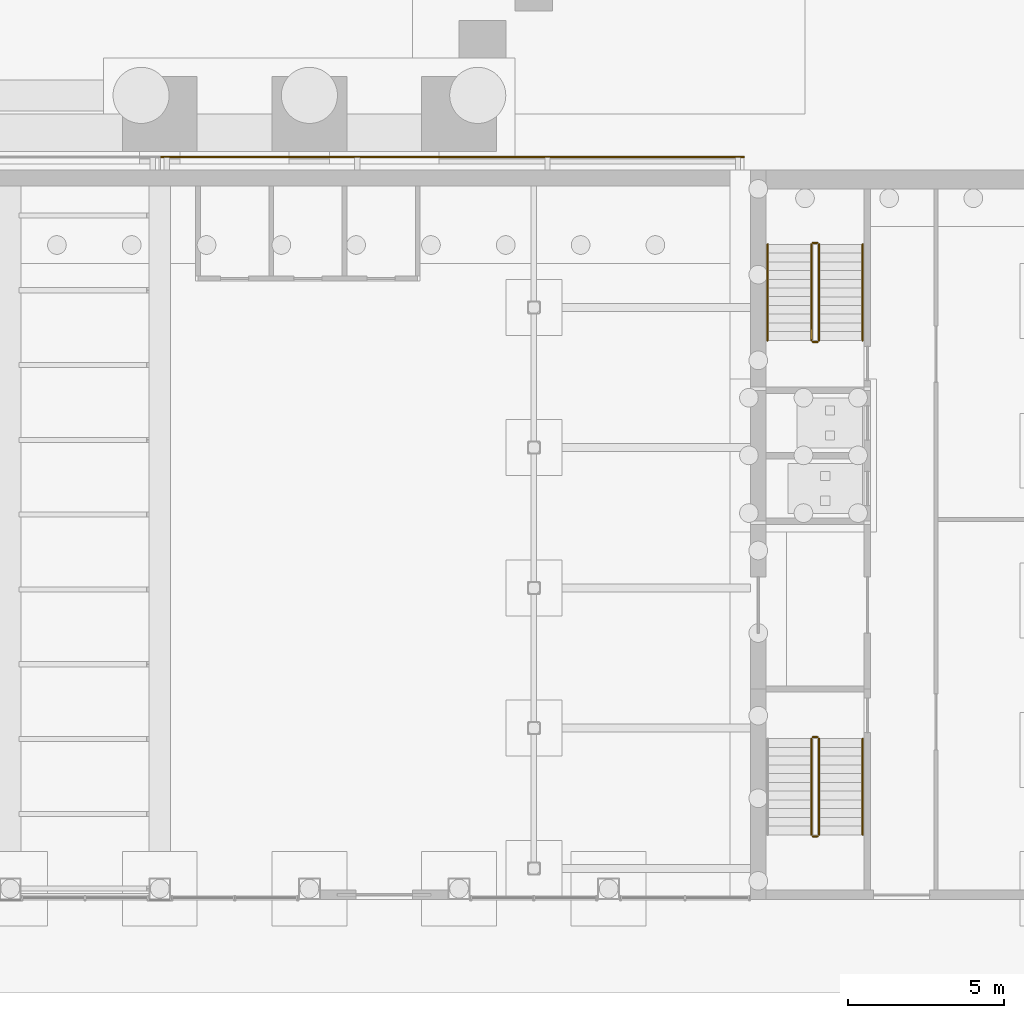
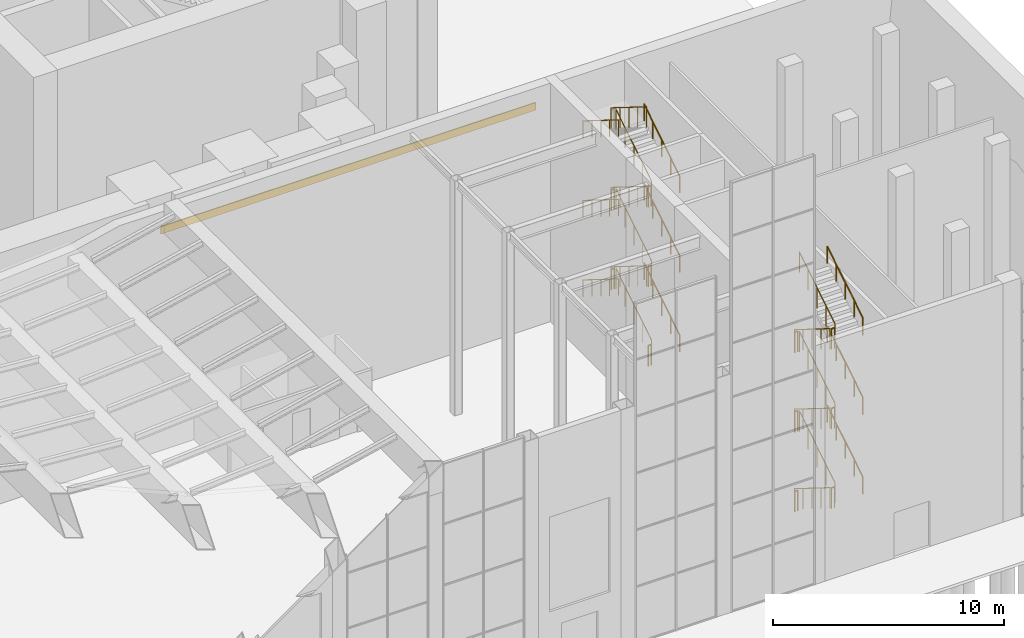
# One storey, part 55 of 58: 32 railings, 1 covering.
"""IFC4 building model written with IfcOpenShell, lengths in metres."""

from ifc_helpers import new_model, si_unit, direction, frame, origin, origin_2d, place, context, subcontext, project, spatial, polyline, circle, outline, extrude, material, layer, layer_set, type_object, element, save


model = new_model("IFC4")

# Units and contexts
model_context = context("Model", 3, precision=1e-05, world=origin(), true_north=direction((0.0, 1.0)))
body_context = subcontext(model_context, "Body", "Model", "MODEL_VIEW")
ifc_project = project(units=[si_unit("LENGTHUNIT", "METRE"), si_unit("AREAUNIT", "SQUARE_METRE"), si_unit("VOLUMEUNIT", "CUBIC_METRE"), si_unit("PLANEANGLEUNIT", "RADIAN"), si_unit("MASSUNIT", "GRAM", prefix="KILO")], contexts=[model_context])

# Site, building, storey
site_placement = place(None, origin())
site = spatial("IfcSite", under=ifc_project, at=site_placement, CompositionType="ELEMENT")
building_placement = place(site_placement, origin())
building = spatial("IfcBuilding", under=site, at=building_placement, Name="Baori Bourse Tower", CompositionType="ELEMENT")
storey_placement = place(building_placement, origin())
storey = spatial("IfcBuildingStorey", under=building, at=storey_placement, Name="L00", CompositionType="ELEMENT", Elevation=0.0)

# Covering
ifc_material_1 = material(Name="Pale anodised aluminium", Category="aluminium")
ifc_layer = layer(ifc_material_1, 0.050048828125)
ifc_layer_set = layer_set([ifc_layer], Name="Canopy edge band 300")
covering_type = type_object("IfcCoveringType", Name="Canopy edge band 300", PredefinedType="CLADDING", material=ifc_layer_set)
covering_placement = place(storey_placement, frame((0.0, 0.0, 10.699951171875)))
element("IfcCovering", 1, at=covering_placement, inside=storey, type_object=covering_type, Name="Canopy edge", PredefinedType="CLADDING", context=body_context, shape_type="SweptSolid", body=[
    extrude(outline(polyline([(38.425048828125, -1.39990234375), (57.14990234375, -1.39990234375), (57.14990234375, -1.35009765625), (38.425048828125, -1.35009765625), (38.425048828125, -1.39990234375)])), origin(), (0.0, 0.0, 1.0), 0.400146484375),
])

# Railings
ifc_material_2 = material(Name="Stainless steel AISI 316", Category="steel")
railing_type_1 = type_object("IfcRailingType", Name="Wing guard 1100", PredefinedType="GUARDRAIL", material=ifc_material_2)
railing_1_placement = place(storey_placement, frame((59.550048828125, -7.260009765625, 0.175048828125)))
element("IfcRailing", 2, at=railing_1_placement, inside=storey, type_object=railing_type_1, Name="L00 E-STA stair guard 1", PredefinedType="GUARDRAIL", context=body_context, shape_type="SweptSolid", body=[
    extrude(circle(Radius=0.02392578125, at=origin_2d()), frame((0.0, 0.0, 1.076171875), z_axis=(0.0, 0.847998304005, 0.529998940003), x_axis=(-1.0, 0.0, 0.0)), (0.0, 0.0, 1.0), 3.632080078125),
    extrude(circle(Radius=0.02099609375, at=origin_2d()), origin(), (0.0, 0.0, 1.0), 1.052001953125),
    extrude(circle(Radius=0.02099609375, at=origin_2d()), frame((0.0, 0.77001953125, 0.481201171875)), (0.0, 0.0, 1.0), 1.052001953125),
    extrude(circle(Radius=0.02099609375, at=origin_2d()), frame((0.0, 1.5400390625, 0.96240234375)), (0.0, 0.0, 1.0), 1.052001953125),
    extrude(circle(Radius=0.02099609375, at=origin_2d()), frame((0.0, 2.31005859375, 1.44384765625)), (0.0, 0.0, 1.0), 1.052001953125),
    extrude(circle(Radius=0.02099609375, at=origin_2d()), frame((0.0, 3.080078125, 1.925048828125)), (0.0, 0.0, 1.0), 1.052001953125),
])
railing_2_placement = place(storey_placement, frame((59.5, -4.1298828125, 2.10009765625)))
element("IfcRailing", 3, at=railing_2_placement, inside=storey, type_object=railing_type_1, Name="L00 E-STA stair guard 2", PredefinedType="GUARDRAIL", context=body_context, shape_type="SweptSolid", body=[
    extrude(circle(Radius=0.02392578125, at=origin_2d()), frame((0.0, 0.0, 1.076171875), z_axis=(-1.0, 0.0, 0.0), x_axis=(0.0, -1.0, 0.0)), (0.0, 0.0, 1.0), 0.14990234375),
    extrude(circle(Radius=0.02099609375, at=origin_2d()), origin(), (0.0, 0.0, 1.0), 1.052001953125),
    extrude(circle(Radius=0.02099609375, at=origin_2d()), frame((-0.14990234375, 0.0, 0.0)), (0.0, 0.0, 1.0), 1.052001953125),
])
railing_3_placement = place(storey_placement, frame((59.300048828125, -4.179931640625, 2.27490234375)))
element("IfcRailing", 4, at=railing_3_placement, inside=storey, type_object=railing_type_1, Name="L00 E-STA stair guard 3", PredefinedType="GUARDRAIL", context=body_context, shape_type="SweptSolid", body=[
    extrude(circle(Radius=0.02392578125, at=origin_2d()), frame((0.0, 0.0, 1.076171875), z_axis=(0.0, -0.847998304005, 0.529998940003), x_axis=(1.0, 0.0, 0.0)), (0.0, 0.0, 1.0), 3.632080078125),
    extrude(circle(Radius=0.02099609375, at=origin_2d()), origin(), (0.0, 0.0, 1.0), 1.052001953125),
    extrude(circle(Radius=0.02099609375, at=origin_2d()), frame((0.0, -0.77001953125, 0.481201171875)), (0.0, 0.0, 1.0), 1.052001953125),
    extrude(circle(Radius=0.02099609375, at=origin_2d()), frame((0.0, -1.5400390625, 0.96240234375)), (0.0, 0.0, 1.0), 1.052001953125),
    extrude(circle(Radius=0.02099609375, at=origin_2d()), frame((0.0, -2.31005859375, 1.44384765625)), (0.0, 0.0, 1.0), 1.052001953125),
    extrude(circle(Radius=0.02099609375, at=origin_2d()), frame((0.0, -3.080078125, 1.925048828125)), (0.0, 0.0, 1.0), 1.052001953125),
])
railing_4_placement = place(storey_placement, frame((59.5, -7.31005859375, 4.199951171875)))
element("IfcRailing", 5, at=railing_4_placement, inside=storey, type_object=railing_type_1, Name="L00 E-STA stair guard 4", PredefinedType="GUARDRAIL", context=body_context, shape_type="SweptSolid", body=[
    extrude(circle(Radius=0.02392578125, at=origin_2d()), frame((0.0, 0.0, 1.076171875), z_axis=(-1.0, 0.0, 0.0), x_axis=(0.0, -1.0, 0.0)), (0.0, 0.0, 1.0), 0.14990234375),
    extrude(circle(Radius=0.02099609375, at=origin_2d()), origin(), (0.0, 0.0, 1.0), 1.052001953125),
    extrude(circle(Radius=0.02099609375, at=origin_2d()), frame((-0.14990234375, 0.0, 0.0)), (0.0, 0.0, 1.0), 1.052001953125),
])
railing_5_placement = place(storey_placement, frame((59.550048828125, -7.260009765625, 4.375)))
element("IfcRailing", 6, at=railing_5_placement, inside=storey, type_object=railing_type_1, Name="L00 E-STA stair guard 5", PredefinedType="GUARDRAIL", context=body_context, shape_type="SweptSolid", body=[
    extrude(circle(Radius=0.02392578125, at=origin_2d()), frame((0.0, 0.0, 1.076171875), z_axis=(0.0, 0.847998304005, 0.529998940003), x_axis=(-1.0, 0.0, 0.0)), (0.0, 0.0, 1.0), 3.632080078125),
    extrude(circle(Radius=0.02099609375, at=origin_2d()), origin(), (0.0, 0.0, 1.0), 1.052001953125),
    extrude(circle(Radius=0.02099609375, at=origin_2d()), frame((0.0, 0.77001953125, 0.481201171875)), (0.0, 0.0, 1.0), 1.052001953125),
    extrude(circle(Radius=0.02099609375, at=origin_2d()), frame((0.0, 1.5400390625, 0.96240234375)), (0.0, 0.0, 1.0), 1.052001953125),
    extrude(circle(Radius=0.02099609375, at=origin_2d()), frame((0.0, 2.31005859375, 1.44384765625)), (0.0, 0.0, 1.0), 1.052001953125),
    extrude(circle(Radius=0.02099609375, at=origin_2d()), frame((0.0, 3.080078125, 1.925048828125)), (0.0, 0.0, 1.0), 1.052001953125),
])
railing_6_placement = place(storey_placement, frame((59.5, -4.1298828125, 6.300048828125)))
element("IfcRailing", 7, at=railing_6_placement, inside=storey, type_object=railing_type_1, Name="L00 E-STA stair guard 6", PredefinedType="GUARDRAIL", context=body_context, shape_type="SweptSolid", body=[
    extrude(circle(Radius=0.02392578125, at=origin_2d()), frame((0.0, 0.0, 1.076171875), z_axis=(-1.0, 0.0, 0.0), x_axis=(0.0, -1.0, 0.0)), (0.0, 0.0, 1.0), 0.14990234375),
    extrude(circle(Radius=0.02099609375, at=origin_2d()), origin(), (0.0, 0.0, 1.0), 1.052001953125),
    extrude(circle(Radius=0.02099609375, at=origin_2d()), frame((-0.14990234375, 0.0, 0.0)), (0.0, 0.0, 1.0), 1.052001953125),
])
railing_7_placement = place(storey_placement, frame((59.300048828125, -4.179931640625, 6.47509765625)))
element("IfcRailing", 8, at=railing_7_placement, inside=storey, type_object=railing_type_1, Name="L00 E-STA stair guard 7", PredefinedType="GUARDRAIL", context=body_context, shape_type="SweptSolid", body=[
    extrude(circle(Radius=0.02392578125, at=origin_2d()), frame((0.0, 0.0, 1.076171875), z_axis=(0.0, -0.848028513186, 0.529950602248), x_axis=(1.0, 0.0, 0.0)), (0.0, 0.0, 1.0), 3.632080078125),
    extrude(circle(Radius=0.02099609375, at=origin_2d()), origin(), (0.0, 0.0, 1.0), 1.052001953125),
    extrude(circle(Radius=0.02099609375, at=origin_2d()), frame((0.0, -0.77001953125, 0.481201171875)), (0.0, 0.0, 1.0), 1.052001953125),
    extrude(circle(Radius=0.02099609375, at=origin_2d()), frame((0.0, -1.5400390625, 0.96240234375)), (0.0, 0.0, 1.0), 1.052001953125),
    extrude(circle(Radius=0.02099609375, at=origin_2d()), frame((0.0, -2.31005859375, 1.443603515625)), (0.0, 0.0, 1.0), 1.052001953125),
    extrude(circle(Radius=0.02099609375, at=origin_2d()), frame((0.0, -3.080078125, 1.9248046875)), (0.0, 0.0, 1.0), 1.052001953125),
])
railing_8_placement = place(storey_placement, frame((59.5, -7.31005859375, 8.39990234375)))
element("IfcRailing", 9, at=railing_8_placement, inside=storey, type_object=railing_type_1, Name="L00 E-STA stair guard 8", PredefinedType="GUARDRAIL", context=body_context, shape_type="SweptSolid", body=[
    extrude(circle(Radius=0.02392578125, at=origin_2d()), frame((0.0, 0.0, 1.076171875), z_axis=(-1.0, 0.0, 0.0), x_axis=(0.0, -1.0, 0.0)), (0.0, 0.0, 1.0), 0.14990234375),
    extrude(circle(Radius=0.02099609375, at=origin_2d()), origin(), (0.0, 0.0, 1.0), 1.052001953125),
    extrude(circle(Radius=0.02099609375, at=origin_2d()), frame((-0.14990234375, 0.0, 0.0)), (0.0, 0.0, 1.0), 1.052001953125),
])
railing_9_placement = place(storey_placement, frame((59.550048828125, -7.260009765625, 8.574951171875)))
element("IfcRailing", 10, at=railing_9_placement, inside=storey, type_object=railing_type_1, Name="L00 E-STA stair guard 9", PredefinedType="GUARDRAIL", context=body_context, shape_type="SweptSolid", body=[
    extrude(circle(Radius=0.02392578125, at=origin_2d()), frame((0.0, 0.0, 1.076171875), z_axis=(0.0, 0.847998304005, 0.529998940003), x_axis=(-1.0, 0.0, 0.0)), (0.0, 0.0, 1.0), 3.632080078125),
    extrude(circle(Radius=0.02099609375, at=origin_2d()), origin(), (0.0, 0.0, 1.0), 1.052001953125),
    extrude(circle(Radius=0.02099609375, at=origin_2d()), frame((0.0, 0.77001953125, 0.481201171875)), (0.0, 0.0, 1.0), 1.052001953125),
    extrude(circle(Radius=0.02099609375, at=origin_2d()), frame((0.0, 1.5400390625, 0.96240234375)), (0.0, 0.0, 1.0), 1.052001953125),
    extrude(circle(Radius=0.02099609375, at=origin_2d()), frame((0.0, 2.31005859375, 1.44384765625)), (0.0, 0.0, 1.0), 1.052001953125),
    extrude(circle(Radius=0.02099609375, at=origin_2d()), frame((0.0, 3.080078125, 1.925048828125)), (0.0, 0.0, 1.0), 1.052001953125),
])
railing_10_placement = place(storey_placement, frame((59.300048828125, -4.179931640625, 10.675048828125)))
element("IfcRailing", 11, at=railing_10_placement, inside=storey, type_object=railing_type_1, Name="L00 E-STA stair guard 11", PredefinedType="GUARDRAIL", context=body_context, shape_type="SweptSolid", body=[
    extrude(circle(Radius=0.02392578125, at=origin_2d()), frame((0.0, 0.0, 1.076171875), z_axis=(0.0, -0.847998304005, 0.529998940003), x_axis=(1.0, 0.0, 0.0)), (0.0, 0.0, 1.0), 3.632080078125),
    extrude(circle(Radius=0.02099609375, at=origin_2d()), origin(), (0.0, 0.0, 1.0), 1.052001953125),
    extrude(circle(Radius=0.02099609375, at=origin_2d()), frame((0.0, -0.77001953125, 0.481201171875)), (0.0, 0.0, 1.0), 1.052001953125),
    extrude(circle(Radius=0.02099609375, at=origin_2d()), frame((0.0, -1.5400390625, 0.96240234375)), (0.0, 0.0, 1.0), 1.052001953125),
    extrude(circle(Radius=0.02099609375, at=origin_2d()), frame((0.0, -2.31005859375, 1.44384765625)), (0.0, 0.0, 1.0), 1.052001953125),
    extrude(circle(Radius=0.02099609375, at=origin_2d()), frame((0.0, -3.080078125, 1.925048828125)), (0.0, 0.0, 1.0), 1.052001953125),
])
railing_11_placement = place(storey_placement, frame((59.5, -7.31005859375, 0.0)))
element("IfcRailing", 12, at=railing_11_placement, inside=storey, type_object=railing_type_1, Name="L00 E-STA stair guard 12", PredefinedType="GUARDRAIL", context=body_context, shape_type="SweptSolid", body=[
    extrude(circle(Radius=0.02392578125, at=origin_2d()), frame((0.0, 0.0, 1.076171875), z_axis=(-1.0, 0.0, 0.0), x_axis=(0.0, -1.0, 0.0)), (0.0, 0.0, 1.0), 0.14990234375),
    extrude(circle(Radius=0.02099609375, at=origin_2d()), origin(), (0.0, 0.0, 1.0), 1.052001953125),
    extrude(circle(Radius=0.02099609375, at=origin_2d()), frame((-0.14990234375, 0.0, 0.0)), (0.0, 0.0, 1.0), 1.052001953125),
])
railing_12_placement = place(storey_placement, frame((59.300048828125, -20.0400390625, 0.175048828125)))
element("IfcRailing", 13, at=railing_12_placement, inside=storey, type_object=railing_type_1, Name="L00 E-STB stair guard 1", PredefinedType="GUARDRAIL", context=body_context, shape_type="SweptSolid", body=[
    extrude(circle(Radius=0.02392578125, at=origin_2d()), frame((0.0, 0.0, 1.076171875), z_axis=(0.0, -0.847998304005, 0.529998940003), x_axis=(1.0, 0.0, 0.0)), (0.0, 0.0, 1.0), 3.632080078125),
    extrude(circle(Radius=0.02099609375, at=origin_2d()), origin(), (0.0, 0.0, 1.0), 1.052001953125),
    extrude(circle(Radius=0.02099609375, at=origin_2d()), frame((0.0, -0.77001953125, 0.481201171875)), (0.0, 0.0, 1.0), 1.052001953125),
    extrude(circle(Radius=0.02099609375, at=origin_2d()), frame((0.0, -1.5400390625, 0.96240234375)), (0.0, 0.0, 1.0), 1.052001953125),
    extrude(circle(Radius=0.02099609375, at=origin_2d()), frame((0.0, -2.31005859375, 1.44384765625)), (0.0, 0.0, 1.0), 1.052001953125),
    extrude(circle(Radius=0.02099609375, at=origin_2d()), frame((0.0, -3.080078125, 1.925048828125)), (0.0, 0.0, 1.0), 1.052001953125),
])
railing_13_placement = place(storey_placement, frame((59.35009765625, -23.169921875, 2.10009765625)))
element("IfcRailing", 14, at=railing_13_placement, inside=storey, type_object=railing_type_1, Name="L00 E-STB stair guard 2", PredefinedType="GUARDRAIL", context=body_context, shape_type="SweptSolid", body=[
    extrude(circle(Radius=0.02392578125, at=origin_2d()), frame((0.0, 0.0, 1.076171875), z_axis=(1.0, 0.0, 0.0), x_axis=(0.0, 1.0, 0.0)), (0.0, 0.0, 1.0), 0.14990234375),
    extrude(circle(Radius=0.02099609375, at=origin_2d()), origin(), (0.0, 0.0, 1.0), 1.052001953125),
    extrude(circle(Radius=0.02099609375, at=origin_2d()), frame((0.14990234375, 0.0, 0.0)), (0.0, 0.0, 1.0), 1.052001953125),
])
railing_14_placement = place(storey_placement, frame((59.550048828125, -23.1201171875, 2.27490234375)))
element("IfcRailing", 15, at=railing_14_placement, inside=storey, type_object=railing_type_1, Name="L00 E-STB stair guard 3", PredefinedType="GUARDRAIL", context=body_context, shape_type="SweptSolid", body=[
    extrude(circle(Radius=0.02392578125, at=origin_2d()), frame((0.0, 0.0, 1.076171875), z_axis=(0.0, 0.847998304005, 0.529998940003), x_axis=(-1.0, 0.0, 0.0)), (0.0, 0.0, 1.0), 3.632080078125),
    extrude(circle(Radius=0.02099609375, at=origin_2d()), origin(), (0.0, 0.0, 1.0), 1.052001953125),
    extrude(circle(Radius=0.02099609375, at=origin_2d()), frame((0.0, 0.77001953125, 0.481201171875)), (0.0, 0.0, 1.0), 1.052001953125),
    extrude(circle(Radius=0.02099609375, at=origin_2d()), frame((0.0, 1.5400390625, 0.96240234375)), (0.0, 0.0, 1.0), 1.052001953125),
    extrude(circle(Radius=0.02099609375, at=origin_2d()), frame((0.0, 2.31005859375, 1.44384765625)), (0.0, 0.0, 1.0), 1.052001953125),
    extrude(circle(Radius=0.02099609375, at=origin_2d()), frame((0.0, 3.080078125, 1.925048828125)), (0.0, 0.0, 1.0), 1.052001953125),
])
railing_15_placement = place(storey_placement, frame((59.35009765625, -19.989990234375, 4.199951171875)))
element("IfcRailing", 16, at=railing_15_placement, inside=storey, type_object=railing_type_1, Name="L00 E-STB stair guard 4", PredefinedType="GUARDRAIL", context=body_context, shape_type="SweptSolid", body=[
    extrude(circle(Radius=0.02392578125, at=origin_2d()), frame((0.0, 0.0, 1.076171875), z_axis=(1.0, 0.0, 0.0), x_axis=(0.0, 1.0, 0.0)), (0.0, 0.0, 1.0), 0.14990234375),
    extrude(circle(Radius=0.02099609375, at=origin_2d()), origin(), (0.0, 0.0, 1.0), 1.052001953125),
    extrude(circle(Radius=0.02099609375, at=origin_2d()), frame((0.14990234375, 0.0, 0.0)), (0.0, 0.0, 1.0), 1.052001953125),
])
railing_16_placement = place(storey_placement, frame((59.300048828125, -20.0400390625, 4.375)))
element("IfcRailing", 17, at=railing_16_placement, inside=storey, type_object=railing_type_1, Name="L00 E-STB stair guard 5", PredefinedType="GUARDRAIL", context=body_context, shape_type="SweptSolid", body=[
    extrude(circle(Radius=0.02392578125, at=origin_2d()), frame((0.0, 0.0, 1.076171875), z_axis=(0.0, -0.847998304005, 0.529998940003), x_axis=(1.0, 0.0, 0.0)), (0.0, 0.0, 1.0), 3.632080078125),
    extrude(circle(Radius=0.02099609375, at=origin_2d()), origin(), (0.0, 0.0, 1.0), 1.052001953125),
    extrude(circle(Radius=0.02099609375, at=origin_2d()), frame((0.0, -0.77001953125, 0.481201171875)), (0.0, 0.0, 1.0), 1.052001953125),
    extrude(circle(Radius=0.02099609375, at=origin_2d()), frame((0.0, -1.5400390625, 0.96240234375)), (0.0, 0.0, 1.0), 1.052001953125),
    extrude(circle(Radius=0.02099609375, at=origin_2d()), frame((0.0, -2.31005859375, 1.44384765625)), (0.0, 0.0, 1.0), 1.052001953125),
    extrude(circle(Radius=0.02099609375, at=origin_2d()), frame((0.0, -3.080078125, 1.925048828125)), (0.0, 0.0, 1.0), 1.052001953125),
])
railing_17_placement = place(storey_placement, frame((59.35009765625, -23.169921875, 6.300048828125)))
element("IfcRailing", 18, at=railing_17_placement, inside=storey, type_object=railing_type_1, Name="L00 E-STB stair guard 6", PredefinedType="GUARDRAIL", context=body_context, shape_type="SweptSolid", body=[
    extrude(circle(Radius=0.02392578125, at=origin_2d()), frame((0.0, 0.0, 1.076171875), z_axis=(1.0, 0.0, 0.0), x_axis=(0.0, 1.0, 0.0)), (0.0, 0.0, 1.0), 0.14990234375),
    extrude(circle(Radius=0.02099609375, at=origin_2d()), origin(), (0.0, 0.0, 1.0), 1.052001953125),
    extrude(circle(Radius=0.02099609375, at=origin_2d()), frame((0.14990234375, 0.0, 0.0)), (0.0, 0.0, 1.0), 1.052001953125),
])
railing_18_placement = place(storey_placement, frame((59.550048828125, -23.1201171875, 6.47509765625)))
element("IfcRailing", 19, at=railing_18_placement, inside=storey, type_object=railing_type_1, Name="L00 E-STB stair guard 7", PredefinedType="GUARDRAIL", context=body_context, shape_type="SweptSolid", body=[
    extrude(circle(Radius=0.02392578125, at=origin_2d()), frame((0.0, 0.0, 1.076171875), z_axis=(0.0, 0.848028513186, 0.529950602248), x_axis=(-1.0, 0.0, 0.0)), (0.0, 0.0, 1.0), 3.632080078125),
    extrude(circle(Radius=0.02099609375, at=origin_2d()), origin(), (0.0, 0.0, 1.0), 1.052001953125),
    extrude(circle(Radius=0.02099609375, at=origin_2d()), frame((0.0, 0.77001953125, 0.481201171875)), (0.0, 0.0, 1.0), 1.052001953125),
    extrude(circle(Radius=0.02099609375, at=origin_2d()), frame((0.0, 1.5400390625, 0.96240234375)), (0.0, 0.0, 1.0), 1.052001953125),
    extrude(circle(Radius=0.02099609375, at=origin_2d()), frame((0.0, 2.31005859375, 1.443603515625)), (0.0, 0.0, 1.0), 1.052001953125),
    extrude(circle(Radius=0.02099609375, at=origin_2d()), frame((0.0, 3.080078125, 1.9248046875)), (0.0, 0.0, 1.0), 1.052001953125),
])
railing_19_placement = place(storey_placement, frame((59.35009765625, -19.989990234375, 8.39990234375)))
element("IfcRailing", 20, at=railing_19_placement, inside=storey, type_object=railing_type_1, Name="L00 E-STB stair guard 8", PredefinedType="GUARDRAIL", context=body_context, shape_type="SweptSolid", body=[
    extrude(circle(Radius=0.02392578125, at=origin_2d()), frame((0.0, 0.0, 1.076171875), z_axis=(1.0, 0.0, 0.0), x_axis=(0.0, 1.0, 0.0)), (0.0, 0.0, 1.0), 0.14990234375),
    extrude(circle(Radius=0.02099609375, at=origin_2d()), origin(), (0.0, 0.0, 1.0), 1.052001953125),
    extrude(circle(Radius=0.02099609375, at=origin_2d()), frame((0.14990234375, 0.0, 0.0)), (0.0, 0.0, 1.0), 1.052001953125),
])
railing_20_placement = place(storey_placement, frame((59.300048828125, -20.0400390625, 8.574951171875)))
element("IfcRailing", 21, at=railing_20_placement, inside=storey, type_object=railing_type_1, Name="L00 E-STB stair guard 9", PredefinedType="GUARDRAIL", context=body_context, shape_type="SweptSolid", body=[
    extrude(circle(Radius=0.02392578125, at=origin_2d()), frame((0.0, 0.0, 1.076171875), z_axis=(0.0, -0.847998304005, 0.529998940003), x_axis=(1.0, 0.0, 0.0)), (0.0, 0.0, 1.0), 3.632080078125),
    extrude(circle(Radius=0.02099609375, at=origin_2d()), origin(), (0.0, 0.0, 1.0), 1.052001953125),
    extrude(circle(Radius=0.02099609375, at=origin_2d()), frame((0.0, -0.77001953125, 0.481201171875)), (0.0, 0.0, 1.0), 1.052001953125),
    extrude(circle(Radius=0.02099609375, at=origin_2d()), frame((0.0, -1.5400390625, 0.96240234375)), (0.0, 0.0, 1.0), 1.052001953125),
    extrude(circle(Radius=0.02099609375, at=origin_2d()), frame((0.0, -2.31005859375, 1.44384765625)), (0.0, 0.0, 1.0), 1.052001953125),
    extrude(circle(Radius=0.02099609375, at=origin_2d()), frame((0.0, -3.080078125, 1.925048828125)), (0.0, 0.0, 1.0), 1.052001953125),
])
railing_21_placement = place(storey_placement, frame((59.35009765625, -23.169921875, 10.5)))
element("IfcRailing", 22, at=railing_21_placement, inside=storey, type_object=railing_type_1, Name="L00 E-STB stair guard 10", PredefinedType="GUARDRAIL", context=body_context, shape_type="SweptSolid", body=[
    extrude(circle(Radius=0.02392578125, at=origin_2d()), frame((0.0, 0.0, 1.076171875), z_axis=(1.0, 0.0, 0.0), x_axis=(0.0, 1.0, 0.0)), (0.0, 0.0, 1.0), 0.14990234375),
    extrude(circle(Radius=0.02099609375, at=origin_2d()), origin(), (0.0, 0.0, 1.0), 1.052001953125),
    extrude(circle(Radius=0.02099609375, at=origin_2d()), frame((0.14990234375, 0.0, 0.0)), (0.0, 0.0, 1.0), 1.052001953125),
])
railing_22_placement = place(storey_placement, frame((59.550048828125, -23.1201171875, 10.675048828125)))
element("IfcRailing", 23, at=railing_22_placement, inside=storey, type_object=railing_type_1, Name="L00 E-STB stair guard 11", PredefinedType="GUARDRAIL", context=body_context, shape_type="SweptSolid", body=[
    extrude(circle(Radius=0.02392578125, at=origin_2d()), frame((0.0, 0.0, 1.076171875), z_axis=(0.0, 0.847998304005, 0.529998940003), x_axis=(-1.0, 0.0, 0.0)), (0.0, 0.0, 1.0), 3.632080078125),
    extrude(circle(Radius=0.02099609375, at=origin_2d()), origin(), (0.0, 0.0, 1.0), 1.052001953125),
    extrude(circle(Radius=0.02099609375, at=origin_2d()), frame((0.0, 0.77001953125, 0.481201171875)), (0.0, 0.0, 1.0), 1.052001953125),
    extrude(circle(Radius=0.02099609375, at=origin_2d()), frame((0.0, 1.5400390625, 0.96240234375)), (0.0, 0.0, 1.0), 1.052001953125),
    extrude(circle(Radius=0.02099609375, at=origin_2d()), frame((0.0, 2.31005859375, 1.44384765625)), (0.0, 0.0, 1.0), 1.052001953125),
    extrude(circle(Radius=0.02099609375, at=origin_2d()), frame((0.0, 3.080078125, 1.925048828125)), (0.0, 0.0, 1.0), 1.052001953125),
])
railing_23_placement = place(storey_placement, frame((59.35009765625, -19.989990234375, 0.0)))
element("IfcRailing", 24, at=railing_23_placement, inside=storey, type_object=railing_type_1, Name="L00 E-STB stair guard 12", PredefinedType="GUARDRAIL", context=body_context, shape_type="SweptSolid", body=[
    extrude(circle(Radius=0.02392578125, at=origin_2d()), frame((0.0, 0.0, 1.076171875), z_axis=(1.0, 0.0, 0.0), x_axis=(0.0, 1.0, 0.0)), (0.0, 0.0, 1.0), 0.14990234375),
    extrude(circle(Radius=0.02099609375, at=origin_2d()), origin(), (0.0, 0.0, 1.0), 1.052001953125),
    extrude(circle(Radius=0.02099609375, at=origin_2d()), frame((0.14990234375, 0.0, 0.0)), (0.0, 0.0, 1.0), 1.052001953125),
])
ifc_material_3 = material(Name="Stainless steel AISI 316", Category="steel")
railing_type_2 = type_object("IfcRailingType", Name="Wing handrail 900", PredefinedType="HANDRAIL", material=ifc_material_3)
railing_24_placement = place(storey_placement, frame((60.949951171875, -7.260009765625, 0.175048828125)))
element("IfcRailing", 25, at=railing_24_placement, inside=storey, type_object=railing_type_2, Name="L00 E-STA stair handrail 1", PredefinedType="HANDRAIL", context=body_context, shape_type="SweptSolid", body=[
    extrude(circle(Radius=0.02392578125, at=origin_2d()), frame((0.0, 0.0, 0.8759765625), z_axis=(0.0, 0.847998304005, 0.529998940003), x_axis=(-1.0, 0.0, 0.0)), (0.0, 0.0, 1.0), 3.632080078125),
    extrude(circle(Radius=0.02099609375, at=origin_2d()), origin(), (0.0, 0.0, 1.0), 0.851806640625),
    extrude(circle(Radius=0.02099609375, at=origin_2d()), frame((0.0, 0.77001953125, 0.481201171875)), (0.0, 0.0, 1.0), 0.851806640625),
    extrude(circle(Radius=0.02099609375, at=origin_2d()), frame((0.0, 1.5400390625, 0.96240234375)), (0.0, 0.0, 1.0), 0.851806640625),
    extrude(circle(Radius=0.02099609375, at=origin_2d()), frame((0.0, 2.31005859375, 1.44384765625)), (0.0, 0.0, 1.0), 0.851806640625),
    extrude(circle(Radius=0.02099609375, at=origin_2d()), frame((0.0, 3.080078125, 1.925048828125)), (0.0, 0.0, 1.0), 0.851806640625),
])
railing_25_placement = place(storey_placement, frame((57.89990234375, -4.179931640625, 2.27490234375)))
element("IfcRailing", 26, at=railing_25_placement, inside=storey, type_object=railing_type_2, Name="L00 E-STA stair handrail 2", PredefinedType="HANDRAIL", context=body_context, shape_type="SweptSolid", body=[
    extrude(circle(Radius=0.02392578125, at=origin_2d()), frame((0.0, 0.0, 0.8759765625), z_axis=(0.0, -0.847998304005, 0.529998940003), x_axis=(1.0, 0.0, 0.0)), (0.0, 0.0, 1.0), 3.632080078125),
    extrude(circle(Radius=0.02099609375, at=origin_2d()), origin(), (0.0, 0.0, 1.0), 0.851806640625),
    extrude(circle(Radius=0.02099609375, at=origin_2d()), frame((0.0, -0.77001953125, 0.481201171875)), (0.0, 0.0, 1.0), 0.851806640625),
    extrude(circle(Radius=0.02099609375, at=origin_2d()), frame((0.0, -1.5400390625, 0.96240234375)), (0.0, 0.0, 1.0), 0.851806640625),
    extrude(circle(Radius=0.02099609375, at=origin_2d()), frame((0.0, -2.31005859375, 1.44384765625)), (0.0, 0.0, 1.0), 0.851806640625),
    extrude(circle(Radius=0.02099609375, at=origin_2d()), frame((0.0, -3.080078125, 1.925048828125)), (0.0, 0.0, 1.0), 0.851806640625),
])
railing_26_placement = place(storey_placement, frame((60.949951171875, -7.260009765625, 4.375)))
element("IfcRailing", 27, at=railing_26_placement, inside=storey, type_object=railing_type_2, Name="L00 E-STA stair handrail 3", PredefinedType="HANDRAIL", context=body_context, shape_type="SweptSolid", body=[
    extrude(circle(Radius=0.02392578125, at=origin_2d()), frame((0.0, 0.0, 0.8759765625), z_axis=(0.0, 0.847998304005, 0.529998940003), x_axis=(-1.0, 0.0, 0.0)), (0.0, 0.0, 1.0), 3.632080078125),
    extrude(circle(Radius=0.02099609375, at=origin_2d()), origin(), (0.0, 0.0, 1.0), 0.851806640625),
    extrude(circle(Radius=0.02099609375, at=origin_2d()), frame((0.0, 0.77001953125, 0.481201171875)), (0.0, 0.0, 1.0), 0.851806640625),
    extrude(circle(Radius=0.02099609375, at=origin_2d()), frame((0.0, 1.5400390625, 0.96240234375)), (0.0, 0.0, 1.0), 0.851806640625),
    extrude(circle(Radius=0.02099609375, at=origin_2d()), frame((0.0, 2.31005859375, 1.44384765625)), (0.0, 0.0, 1.0), 0.851806640625),
    extrude(circle(Radius=0.02099609375, at=origin_2d()), frame((0.0, 3.080078125, 1.925048828125)), (0.0, 0.0, 1.0), 0.851806640625),
])
railing_27_placement = place(storey_placement, frame((57.89990234375, -4.179931640625, 6.47509765625)))
element("IfcRailing", 28, at=railing_27_placement, inside=storey, type_object=railing_type_2, Name="L00 E-STA stair handrail 4", PredefinedType="HANDRAIL", context=body_context, shape_type="SweptSolid", body=[
    extrude(circle(Radius=0.02392578125, at=origin_2d()), frame((0.0, 0.0, 0.8759765625), z_axis=(0.0, -0.848028513186, 0.529950602248), x_axis=(1.0, 0.0, 0.0)), (0.0, 0.0, 1.0), 3.632080078125),
    extrude(circle(Radius=0.02099609375, at=origin_2d()), origin(), (0.0, 0.0, 1.0), 0.851806640625),
    extrude(circle(Radius=0.02099609375, at=origin_2d()), frame((0.0, -0.77001953125, 0.481201171875)), (0.0, 0.0, 1.0), 0.851806640625),
    extrude(circle(Radius=0.02099609375, at=origin_2d()), frame((0.0, -1.5400390625, 0.96240234375)), (0.0, 0.0, 1.0), 0.851806640625),
    extrude(circle(Radius=0.02099609375, at=origin_2d()), frame((0.0, -2.31005859375, 1.443603515625)), (0.0, 0.0, 1.0), 0.851806640625),
    extrude(circle(Radius=0.02099609375, at=origin_2d()), frame((0.0, -3.080078125, 1.9248046875)), (0.0, 0.0, 1.0), 0.851806640625),
])
railing_28_placement = place(storey_placement, frame((60.949951171875, -7.260009765625, 8.574951171875)))
element("IfcRailing", 29, at=railing_28_placement, inside=storey, type_object=railing_type_2, Name="L00 E-STA stair handrail 5", PredefinedType="HANDRAIL", context=body_context, shape_type="SweptSolid", body=[
    extrude(circle(Radius=0.02392578125, at=origin_2d()), frame((0.0, 0.0, 0.8759765625), z_axis=(0.0, 0.847998304005, 0.529998940003), x_axis=(-1.0, 0.0, 0.0)), (0.0, 0.0, 1.0), 3.632080078125),
    extrude(circle(Radius=0.02099609375, at=origin_2d()), origin(), (0.0, 0.0, 1.0), 0.851806640625),
    extrude(circle(Radius=0.02099609375, at=origin_2d()), frame((0.0, 0.77001953125, 0.481201171875)), (0.0, 0.0, 1.0), 0.851806640625),
    extrude(circle(Radius=0.02099609375, at=origin_2d()), frame((0.0, 1.5400390625, 0.96240234375)), (0.0, 0.0, 1.0), 0.851806640625),
    extrude(circle(Radius=0.02099609375, at=origin_2d()), frame((0.0, 2.31005859375, 1.44384765625)), (0.0, 0.0, 1.0), 0.851806640625),
    extrude(circle(Radius=0.02099609375, at=origin_2d()), frame((0.0, 3.080078125, 1.925048828125)), (0.0, 0.0, 1.0), 0.851806640625),
])
railing_29_placement = place(storey_placement, frame((57.89990234375, -4.179931640625, 10.675048828125)))
element("IfcRailing", 30, at=railing_29_placement, inside=storey, type_object=railing_type_2, Name="L00 E-STA stair handrail 6", PredefinedType="HANDRAIL", context=body_context, shape_type="SweptSolid", body=[
    extrude(circle(Radius=0.02392578125, at=origin_2d()), frame((0.0, 0.0, 0.8759765625), z_axis=(0.0, -0.847998304005, 0.529998940003), x_axis=(1.0, 0.0, 0.0)), (0.0, 0.0, 1.0), 3.632080078125),
    extrude(circle(Radius=0.02099609375, at=origin_2d()), origin(), (0.0, 0.0, 1.0), 0.851806640625),
    extrude(circle(Radius=0.02099609375, at=origin_2d()), frame((0.0, -0.77001953125, 0.481201171875)), (0.0, 0.0, 1.0), 0.851806640625),
    extrude(circle(Radius=0.02099609375, at=origin_2d()), frame((0.0, -1.5400390625, 0.96240234375)), (0.0, 0.0, 1.0), 0.851806640625),
    extrude(circle(Radius=0.02099609375, at=origin_2d()), frame((0.0, -2.31005859375, 1.44384765625)), (0.0, 0.0, 1.0), 0.851806640625),
    extrude(circle(Radius=0.02099609375, at=origin_2d()), frame((0.0, -3.080078125, 1.925048828125)), (0.0, 0.0, 1.0), 0.851806640625),
])
railing_30_placement = place(storey_placement, frame((60.949951171875, -23.1201171875, 2.27490234375)))
element("IfcRailing", 31, at=railing_30_placement, inside=storey, type_object=railing_type_2, Name="L00 E-STB stair handrail 2", PredefinedType="HANDRAIL", context=body_context, shape_type="SweptSolid", body=[
    extrude(circle(Radius=0.02392578125, at=origin_2d()), frame((0.0, 0.0, 0.8759765625), z_axis=(0.0, 0.847998304005, 0.529998940003), x_axis=(-1.0, 0.0, 0.0)), (0.0, 0.0, 1.0), 3.632080078125),
    extrude(circle(Radius=0.02099609375, at=origin_2d()), origin(), (0.0, 0.0, 1.0), 0.851806640625),
    extrude(circle(Radius=0.02099609375, at=origin_2d()), frame((0.0, 0.77001953125, 0.481201171875)), (0.0, 0.0, 1.0), 0.851806640625),
    extrude(circle(Radius=0.02099609375, at=origin_2d()), frame((0.0, 1.5400390625, 0.96240234375)), (0.0, 0.0, 1.0), 0.851806640625),
    extrude(circle(Radius=0.02099609375, at=origin_2d()), frame((0.0, 2.31005859375, 1.44384765625)), (0.0, 0.0, 1.0), 0.851806640625),
    extrude(circle(Radius=0.02099609375, at=origin_2d()), frame((0.0, 3.080078125, 1.925048828125)), (0.0, 0.0, 1.0), 0.851806640625),
])
railing_31_placement = place(storey_placement, frame((60.949951171875, -23.1201171875, 6.47509765625)))
element("IfcRailing", 32, at=railing_31_placement, inside=storey, type_object=railing_type_2, Name="L00 E-STB stair handrail 4", PredefinedType="HANDRAIL", context=body_context, shape_type="SweptSolid", body=[
    extrude(circle(Radius=0.02392578125, at=origin_2d()), frame((0.0, 0.0, 0.8759765625), z_axis=(0.0, 0.848028513186, 0.529950602248), x_axis=(-1.0, 0.0, 0.0)), (0.0, 0.0, 1.0), 3.632080078125),
    extrude(circle(Radius=0.02099609375, at=origin_2d()), origin(), (0.0, 0.0, 1.0), 0.851806640625),
    extrude(circle(Radius=0.02099609375, at=origin_2d()), frame((0.0, 0.77001953125, 0.481201171875)), (0.0, 0.0, 1.0), 0.851806640625),
    extrude(circle(Radius=0.02099609375, at=origin_2d()), frame((0.0, 1.5400390625, 0.96240234375)), (0.0, 0.0, 1.0), 0.851806640625),
    extrude(circle(Radius=0.02099609375, at=origin_2d()), frame((0.0, 2.31005859375, 1.443603515625)), (0.0, 0.0, 1.0), 0.851806640625),
    extrude(circle(Radius=0.02099609375, at=origin_2d()), frame((0.0, 3.080078125, 1.9248046875)), (0.0, 0.0, 1.0), 0.851806640625),
])
railing_32_placement = place(storey_placement, frame((60.949951171875, -23.1201171875, 10.675048828125)))
element("IfcRailing", 33, at=railing_32_placement, inside=storey, type_object=railing_type_2, Name="L00 E-STB stair handrail 6", PredefinedType="HANDRAIL", context=body_context, shape_type="SweptSolid", body=[
    extrude(circle(Radius=0.02392578125, at=origin_2d()), frame((0.0, 0.0, 0.8759765625), z_axis=(0.0, 0.847998304005, 0.529998940003), x_axis=(-1.0, 0.0, 0.0)), (0.0, 0.0, 1.0), 3.632080078125),
    extrude(circle(Radius=0.02099609375, at=origin_2d()), origin(), (0.0, 0.0, 1.0), 0.851806640625),
    extrude(circle(Radius=0.02099609375, at=origin_2d()), frame((0.0, 0.77001953125, 0.481201171875)), (0.0, 0.0, 1.0), 0.851806640625),
    extrude(circle(Radius=0.02099609375, at=origin_2d()), frame((0.0, 1.5400390625, 0.96240234375)), (0.0, 0.0, 1.0), 0.851806640625),
    extrude(circle(Radius=0.02099609375, at=origin_2d()), frame((0.0, 2.31005859375, 1.44384765625)), (0.0, 0.0, 1.0), 0.851806640625),
    extrude(circle(Radius=0.02099609375, at=origin_2d()), frame((0.0, 3.080078125, 1.925048828125)), (0.0, 0.0, 1.0), 0.851806640625),
])

save(model, "model.ifc")
